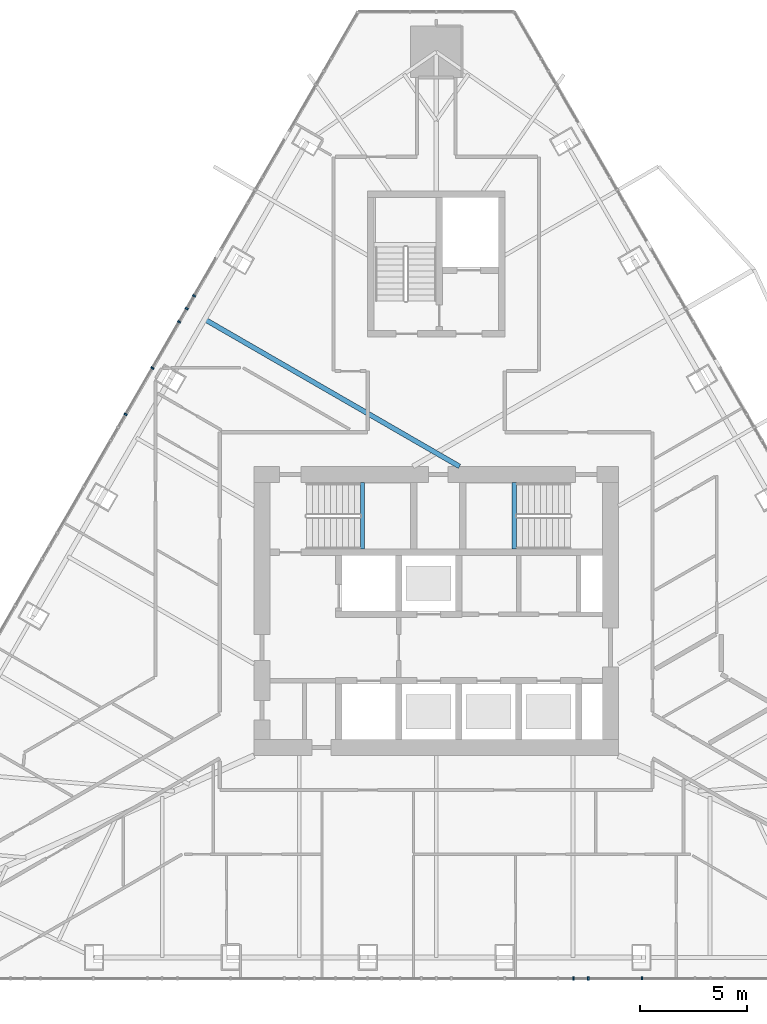
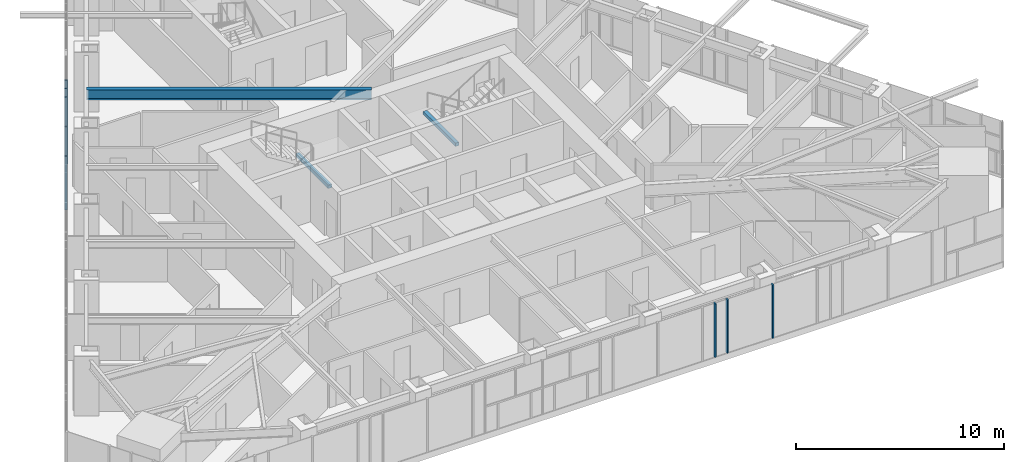
# One storey, part 7 of 26: 8 members, 3 beams, 2 elements without a shape of their own.
"""IFC4 building model written with IfcOpenShell, lengths in metres."""

from ifc_helpers import new_model, si_unit, direction, frame, origin, origin_2d, place, context, subcontext, project, spatial, rectangle, i_section, extrude, material, layer, layer_set, material_profile, profile_set, type_object, element, aggregate, save


model = new_model("IFC4")

# Units and contexts
model_context = context("Model", 3, precision=1e-05, world=origin(), true_north=direction((0.0, 1.0)))
body_context = subcontext(model_context, "Body", "Model", "MODEL_VIEW")
ifc_project = project(units=[si_unit("LENGTHUNIT", "METRE"), si_unit("AREAUNIT", "SQUARE_METRE"), si_unit("VOLUMEUNIT", "CUBIC_METRE"), si_unit("PLANEANGLEUNIT", "RADIAN"), si_unit("MASSUNIT", "GRAM", prefix="KILO")], contexts=[model_context])

# Site, building, storey
site_placement = place(None, origin())
site = spatial("IfcSite", under=ifc_project, at=site_placement, CompositionType="ELEMENT")
building_placement = place(site_placement, origin())
building = spatial("IfcBuilding", under=site, at=building_placement, Name="Firuza Gate Tower and Library", CompositionType="ELEMENT")
storey_placement = place(building_placement, frame((0.0, 0.0, 288.10009765625)))
storey = spatial("IfcBuildingStorey", under=building, at=storey_placement, Name="L69", CompositionType="ELEMENT", Elevation=288.10009765625)

# Curtain wall, members
ifc_material_1 = material(Name="Aluminium 6063-T6", Category="aluminium")
ifc_layer = layer(ifc_material_1, 0.14990234375)
ifc_layer_set = layer_set([ifc_layer], Name="Unitised curtain wall, residences")
curtain_wall_type = type_object("IfcCurtainWallType", Name="Unitised curtain wall, residences", PredefinedType="NOTDEFINED", material=ifc_layer_set)
placement = place(storey_placement, origin())
curtain_wall_1 = element("IfcCurtainWall", 1, at=placement, inside=storey, type_object=curtain_wall_type, Name="CW3 L69 S face", PredefinedType="NOTDEFINED")
ifc_material_2 = material(Name="Aluminium 6063-T6", Category="aluminium")
ifc_material_profile_1 = material_profile(ifc_material_2, rectangle(XDim=0.14990234375, YDim=0.080078125, at=origin_2d()))
ifc_profile_set_1 = profile_set([ifc_material_profile_1], Name="Aluminium 6063-T6")
member_type = type_object("IfcMemberType", Name="Curtain wall mullion 80x150", PredefinedType="MULLION", material=ifc_profile_set_1)
member_1_placement = place(storey_placement, frame((81.401611328125, 57.85693359375, 0.14990234375), z_axis=(0.0, 0.0, 1.0), x_axis=(0.0, 1.0, 0.0)))
member_1 = element("IfcMember", 2, at=member_1_placement, type_object=member_type, Name="Mullion", PredefinedType="MULLION", context=body_context, shape_type="SweptSolid", body=[
    extrude(rectangle(XDim=0.14990234375, YDim=0.080078125, at=origin_2d()), origin(), (0.0, 0.0, 1.0), 3.14990234375),
])
member_2_placement = place(storey_placement, frame((84.6025390625, 57.85693359375, 0.14990234375), z_axis=(0.0, 0.0, 1.0), x_axis=(0.0, 1.0, 0.0)))
member_2 = element("IfcMember", 3, at=member_2_placement, type_object=member_type, Name="Mullion", PredefinedType="MULLION", context=body_context, shape_type="SweptSolid", body=[
    extrude(rectangle(XDim=0.14990234375, YDim=0.080078125, at=origin_2d()), origin(), (0.0, 0.0, 1.0), 3.14990234375),
])
member_3_placement = place(storey_placement, frame((82.0908203125, 57.85693359375, 0.14990234375), z_axis=(0.0, 0.0, 1.0), x_axis=(0.0, 1.0, 0.0)))
member_3 = element("IfcMember", 4, at=member_3_placement, type_object=member_type, Name="Mullion", PredefinedType="MULLION", context=body_context, shape_type="SweptSolid", body=[
    extrude(rectangle(XDim=0.14990234375, YDim=0.080078125, at=origin_2d()), origin(), (0.0, 0.0, 1.0), 3.14990234375),
])
aggregate(curtain_wall_1, [member_1, member_2, member_3])

curtain_wall_2 = element("IfcCurtainWall", 5, at=placement, inside=storey, type_object=curtain_wall_type, Name="CW3 L69 W face", PredefinedType="NOTDEFINED")
member_4_placement = place(storey_placement, frame((63.3544921875, 89.115478515625, 0.14990234375), z_axis=(0.0, 0.0, 1.0), x_axis=(0.866025403784, -0.5, 0.0)))
member_4 = element("IfcMember", 6, at=member_4_placement, type_object=member_type, Name="Mullion", PredefinedType="MULLION", context=body_context, shape_type="SweptSolid", body=[
    extrude(rectangle(XDim=0.14990234375, YDim=0.080078125, at=origin_2d()), origin(), (0.0, 0.0, 1.0), 3.14990234375),
])
member_5_placement = place(storey_placement, frame((61.754150390625, 86.343505859375, 0.14990234375), z_axis=(0.0, 0.0, 1.0), x_axis=(0.866025403784, -0.5, 0.0)))
member_5 = element("IfcMember", 7, at=member_5_placement, type_object=member_type, Name="Mullion", PredefinedType="MULLION", context=body_context, shape_type="SweptSolid", body=[
    extrude(rectangle(XDim=0.14990234375, YDim=0.080078125, at=origin_2d()), origin(), (0.0, 0.0, 1.0), 3.14990234375),
])
member_6_placement = place(storey_placement, frame((63.69921875, 89.71240234375, 0.14990234375), z_axis=(0.0, 0.0, 1.0), x_axis=(0.866025403784, -0.5, 0.0)))
member_6 = element("IfcMember", 8, at=member_6_placement, type_object=member_type, Name="Mullion", PredefinedType="MULLION", context=body_context, shape_type="SweptSolid", body=[
    extrude(rectangle(XDim=0.14990234375, YDim=0.080078125, at=origin_2d()), origin(), (0.0, 0.0, 1.0), 3.14990234375),
])
member_7_placement = place(storey_placement, frame((62.99755859375, 88.497314453125, 0.14990234375), z_axis=(0.0, 0.0, 1.0), x_axis=(0.866025403784, -0.5, 0.0)))
member_7 = element("IfcMember", 9, at=member_7_placement, type_object=member_type, Name="Mullion", PredefinedType="MULLION", context=body_context, shape_type="SweptSolid", body=[
    extrude(rectangle(XDim=0.14990234375, YDim=0.080078125, at=origin_2d()), origin(), (0.0, 0.0, 1.0), 3.14990234375),
])
member_8_placement = place(storey_placement, frame((60.50439453125, 84.178955078125, 0.14990234375), z_axis=(0.0, 0.0, 1.0), x_axis=(0.866025403784, -0.5, 0.0)))
member_8 = element("IfcMember", 10, at=member_8_placement, type_object=member_type, Name="Mullion", PredefinedType="MULLION", context=body_context, shape_type="SweptSolid", body=[
    extrude(rectangle(XDim=0.14990234375, YDim=0.080078125, at=origin_2d()), origin(), (0.0, 0.0, 1.0), 3.14990234375),
])
aggregate(curtain_wall_2, [member_4, member_5, member_6, member_7, member_8])

# Beams
ifc_material_3 = material(Name="Concrete C35/45", Category="concrete")
ifc_material_profile_2 = material_profile(ifc_material_3, rectangle(XDim=0.199951171875, YDim=0.199951171875, at=origin_2d()))
ifc_profile_set_2 = profile_set([ifc_material_profile_2], Name="Concrete C35/45")
beam_type_1 = type_object("IfcBeamType", Name="Stair landing bearer 200x200", PredefinedType="BEAM", material=ifc_profile_set_2)
for number, where, z_axis, x_axis, name in (
    (11, (71.56005859375, 77.89990234375, 1.449951171875), (0.0, 1.0, 0.0), (-1.0, 0.0, 0.0), "Landing bearer L69 stair 1"),
    (12, (78.639892578125, 81.0, 1.449951171875), (0.0, -1.0, 0.0), (1.0, 0.0, 0.0), "Landing bearer L69 stair 2"),
):
    element("IfcBeam", number, at=place(storey_placement, frame(where, z_axis=z_axis, x_axis=x_axis)), inside=storey, type_object=beam_type_1, Name=name, PredefinedType="BEAM", context=body_context, shape_type="SweptSolid", body=[
        extrude(rectangle(XDim=0.199951171875, YDim=0.199951171875, at=origin_2d()), origin(), (0.0, 0.0, 1.0), 3.10009765625),
    ])
ifc_material_4 = material(Name="Steel S355", Category="steel")
ifc_material_profile_3 = material_profile(ifc_material_4, i_section(OverallWidth=0.22802734375, OverallDepth=0.60302734375, WebThickness=0.010498046875, FlangeThickness=0.014892578125, at=origin_2d()))
ifc_profile_set_3 = profile_set([ifc_material_profile_3], Name="Steel S355")
beam_type_2 = type_object("IfcBeamType", Name="W610x101 Floor beam", PredefinedType="JOIST", material=ifc_profile_set_3)
beam_placement = place(storey_placement, frame((64.19287109375, 88.617431640625, 2.998291015625), z_axis=(0.866021594624, -0.500006597602, 0.0), x_axis=(0.500006597602, 0.866021594624, 0.0)))
element("IfcBeam", 13, at=beam_placement, inside=storey, type_object=beam_type_2, Name="Floor beam L69 s81", PredefinedType="JOIST", context=body_context, shape_type="SweptSolid", body=[
    extrude(i_section(OverallWidth=0.22802734375, OverallDepth=0.60302734375, WebThickness=0.010498046875, FlangeThickness=0.014892578125, at=origin_2d()), origin(), (0.0, 0.0, 1.0), 13.734619140625),
])

save(model, "model.ifc")
